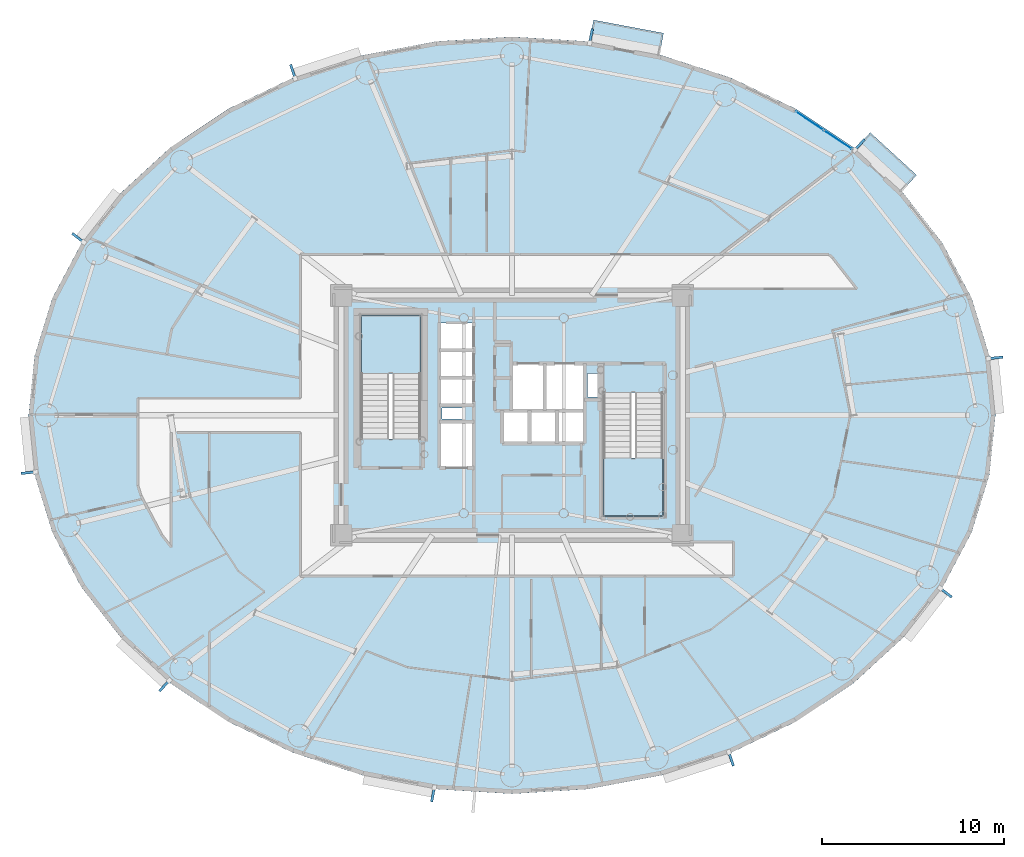
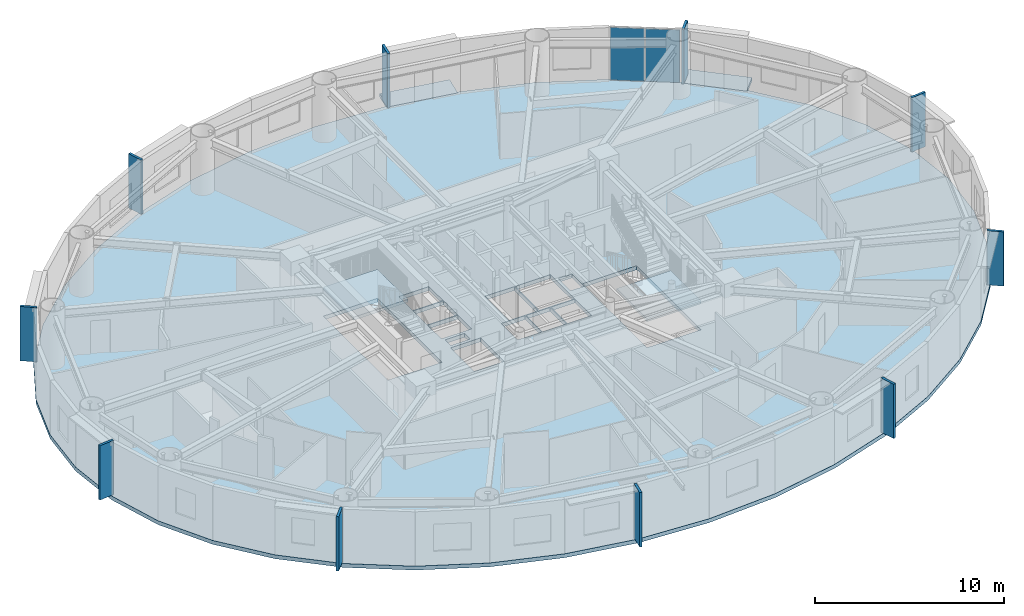
# One storey, part 6 of 21: 12 plates, 5 slabs, 3 elements without a shape of their own.
"""IFC4 building model written with IfcOpenShell, lengths in metres."""

from ifc_helpers import new_model, si_unit, direction, frame, origin, origin_2d, place, context, subcontext, project, spatial, polyline, rectangle, outline, extrude, source, transform, mapped, material, layer, layer_set, type_object, element, aggregate, save


model = new_model("IFC4")

# Units and contexts
model_context = context("Model", 3, precision=1e-05, world=origin(), true_north=direction((0.0, 1.0)))
body_context = subcontext(model_context, "Body", "Model", "MODEL_VIEW")
ifc_project = project(units=[si_unit("LENGTHUNIT", "METRE"), si_unit("AREAUNIT", "SQUARE_METRE"), si_unit("VOLUMEUNIT", "CUBIC_METRE"), si_unit("PLANEANGLEUNIT", "RADIAN"), si_unit("MASSUNIT", "GRAM", prefix="KILO")], contexts=[model_context])

# Site, building, storey
site_placement = place(None, origin())
site = spatial("IfcSite", under=ifc_project, at=site_placement, CompositionType="ELEMENT")
building_placement = place(site_placement, origin())
building = spatial("IfcBuilding", under=site, at=building_placement, Name="Linh Dai School and Residence Tower", CompositionType="ELEMENT")
storey_placement = place(building_placement, frame((0.0, 0.0, 189.89990234375)))
storey = spatial("IfcBuildingStorey", under=building, at=storey_placement, Name="L46", CompositionType="ELEMENT", Elevation=189.89990234375)

# Slabs
ifc_material_1 = material(Name="Concrete B45 (C35/45)", Category="concrete")
ifc_layer_1 = layer(ifc_material_1, 0.219970703125)
ifc_layer_set_1 = layer_set([ifc_layer_1], Name="Concrete B45 (C35/45)")
slab_type_1 = type_object("IfcSlabType", Name="SLB-BALC-220", PredefinedType="FLOOR", material=ifc_layer_set_1)
slab_1_placement = place(storey_placement, frame((0.0, 0.0, -0.219970703125)))
element("IfcSlab", 1, at=slab_1_placement, inside=storey, type_object=slab_type_1, Name="L46 Sliding Balcony Slab 05", PredefinedType="FLOOR", context=body_context, shape_type="SweptSolid", body=[
    extrude(outline(polyline([(54.836181640625, 41.59619140625), (57.385009765625, 39.25927734375), (58.263427734375, 40.217529296875), (55.714599609375, 42.554443359375), (54.836181640625, 41.59619140625)])), origin(), (0.0, 0.0, 1.0), 0.219970703125),
])
slab_2_placement = place(storey_placement, frame((0.0, 0.0, -0.219970703125)))
element("IfcSlab", 2, at=slab_2_placement, inside=storey, type_object=slab_type_1, Name="L46 Sliding Balcony Slab 09", PredefinedType="FLOOR", context=body_context, shape_type="SweptSolid", body=[
    extrude(outline(polyline([(40.25244140625, 47.475341796875), (44.09912109375, 46.751953125), (44.33935546875, 48.02978515625), (40.492431640625, 48.7529296875), (40.25244140625, 47.475341796875)])), origin(), (0.0, 0.0, 1.0), 0.219970703125),
])
ifc_layer_2 = layer(ifc_material_1, 0.25)
ifc_layer_set_2 = layer_set([ifc_layer_2], Name="Concrete B45 (C35/45)")
slab_type_2 = type_object("IfcSlabType", Name="SLB-FLR250", PredefinedType="FLOOR", material=ifc_layer_set_2)
slab_3_placement = place(storey_placement, frame((0.0, 0.0, -0.25)))
element("IfcSlab", 3, at=slab_3_placement, inside=storey, type_object=slab_type_2, Name="L46 Composite Structural Floor Slab", PredefinedType="FLOOR", context=body_context, shape_type="SweptSolid", body=[
    extrude(outline(polyline([(62.60009765625, 27.0), (62.2724609375, 30.258544921875), (61.298095703125, 33.436767578125), (59.70068359375, 36.45654296875), (57.519775390625, 39.24365234375), (54.80908203125, 41.72900390625), (51.635009765625, 43.851806640625), (48.076171875, 45.5595703125), (44.219970703125, 46.810546875), (40.1611328125, 47.573486328125), (36.0, 47.830078125), (31.8388671875, 47.573486328125), (27.780029296875, 46.810546875), (23.923828125, 45.5595703125), (20.364990234375, 43.851806640625), (17.19091796875, 41.72900390625), (14.480224609375, 39.24365234375), (12.29931640625, 36.45654296875), (10.701904296875, 33.436767578125), (9.7275390625, 30.258544921875), (9.39990234375, 27.0), (9.7275390625, 23.741455078125), (10.701904296875, 20.563232421875), (12.29931640625, 17.54345703125), (14.480224609375, 14.75634765625), (17.19091796875, 12.27099609375), (20.364990234375, 10.148193359375), (23.923828125, 8.4404296875), (27.780029296875, 7.189453125), (31.8388671875, 6.426513671875), (36.0, 6.169921875), (40.1611328125, 6.426513671875), (44.219970703125, 7.189453125), (48.076171875, 8.4404296875), (51.635009765625, 10.148193359375), (54.80908203125, 12.27099609375), (57.519775390625, 14.75634765625), (59.70068359375, 17.54345703125), (61.298095703125, 20.563232421875), (62.2724609375, 23.741455078125), (62.60009765625, 27.0)]), holes=[polyline([(30.97998046875, 25.699951171875), (30.97998046875, 32.5), (27.679931640625, 32.5), (27.679931640625, 25.699951171875), (30.97998046875, 25.699951171875)]), polyline([(41.02001953125, 28.25), (41.02001953125, 21.449951171875), (44.320068359375, 21.449951171875), (44.320068359375, 28.25), (41.02001953125, 28.25)]), polyline([(35.97998046875, 27.280029296875), (37.77001953125, 27.280029296875), (37.77001953125, 29.820068359375), (35.97998046875, 29.820068359375), (35.97998046875, 27.280029296875)]), polyline([(32.030029296875, 24.1298828125), (33.8701171875, 24.1298828125), (33.8701171875, 26.6201171875), (32.030029296875, 26.6201171875), (32.030029296875, 24.1298828125)]), polyline([(37.830078125, 27.280029296875), (39.969970703125, 27.280029296875), (39.969970703125, 29.820068359375), (37.830078125, 29.820068359375), (37.830078125, 27.280029296875)]), polyline([(32.030029296875, 27.580078125), (33.8701171875, 27.580078125), (33.8701171875, 29.030029296875), (32.030029296875, 29.030029296875), (32.030029296875, 27.580078125)]), polyline([(32.030029296875, 29.090087890625), (33.8701171875, 29.090087890625), (33.8701171875, 30.550048828125), (32.030029296875, 30.550048828125), (32.030029296875, 29.090087890625)]), polyline([(32.030029296875, 30.610107421875), (33.8701171875, 30.610107421875), (33.8701171875, 32.070068359375), (32.030029296875, 32.070068359375), (32.030029296875, 30.610107421875)]), polyline([(35.47998046875, 25.47998046875), (36.929931640625, 25.47998046875), (36.929931640625, 27.219970703125), (35.47998046875, 27.219970703125), (35.47998046875, 25.47998046875)]), polyline([(36.989990234375, 25.47998046875), (38.449951171875, 25.47998046875), (38.449951171875, 27.219970703125), (36.989990234375, 27.219970703125), (36.989990234375, 25.47998046875)]), polyline([(38.510009765625, 25.47998046875), (39.969970703125, 25.47998046875), (39.969970703125, 27.219970703125), (38.510009765625, 27.219970703125), (38.510009765625, 25.47998046875)]), polyline([(40.14990234375, 28.0), (40.14990234375, 29.300048828125), (41.0, 29.300048828125), (41.0, 28.280029296875), (40.989990234375, 28.280029296875), (40.989990234375, 28.0), (40.14990234375, 28.0)]), polyline([(32.14990234375, 26.800048828125), (33.35009765625, 26.800048828125), (33.35009765625, 27.39990234375), (32.14990234375, 27.39990234375), (32.14990234375, 26.800048828125)])]), origin(), (0.0, 0.0, 1.0), 0.25),
])

# Stair, slab
stair_type = type_object("IfcStairType", Name="ST-DOG-1550-R1442", PredefinedType="HALF_TURN_STAIR", material=ifc_material_1)
stair_1_placement = place(storey_placement, origin())
stair_1 = element("IfcStair", 4, at=stair_1_placement, inside=storey, type_object=stair_type, Name="L46 Core Smokeproof Exit Stair ST1", PredefinedType="HALF_TURN_STAIR")
ifc_layer_3 = layer(ifc_material_1, 0.199951171875)
ifc_layer_set_3 = layer_set([ifc_layer_3], Name="Concrete B45 (C35/45)")
slab_type_3 = type_object("IfcSlabType", Name="SLB-ST-LANDING-200", PredefinedType="LANDING", material=ifc_layer_set_3)
slab_4_placement = place(storey_placement, frame((0.0, 0.0, 1.675048828125)))
slab_4 = element("IfcSlab", 5, at=slab_4_placement, type_object=slab_type_3, Name="ST1 landing 1", PredefinedType="LANDING", context=body_context, shape_type="SweptSolid", body=[
    extrude(outline(polyline([(30.97998046875, 29.300048828125), (30.97998046875, 32.5), (27.679931640625, 32.5), (27.679931640625, 29.300048828125), (30.97998046875, 29.300048828125)])), origin(), (0.0, 0.0, 1.0), 0.199951171875),
])
aggregate(stair_1, [slab_4])

stair_2_placement = place(storey_placement, origin())
stair_2 = element("IfcStair", 6, at=stair_2_placement, inside=storey, type_object=stair_type, Name="L46 Core Smokeproof Exit Stair ST2", PredefinedType="HALF_TURN_STAIR")
slab_5_placement = place(storey_placement, frame((0.0, 0.0, 1.675048828125)))
slab_5 = element("IfcSlab", 7, at=slab_5_placement, type_object=slab_type_3, Name="ST2 landing 1", PredefinedType="LANDING", context=body_context, shape_type="SweptSolid", body=[
    extrude(outline(polyline([(41.02001953125, 24.64990234375), (41.02001953125, 21.449951171875), (44.320068359375, 21.449951171875), (44.320068359375, 24.64990234375), (41.02001953125, 24.64990234375)])), origin(), (0.0, 0.0, 1.0), 0.199951171875),
])
aggregate(stair_2, [slab_5])

# Plates
ifc_material_2 = material(Name="Precast Concrete B45 (C35/45)", Category="concrete")
ifc_layer_4 = layer(ifc_material_2, 0.139892578125)
ifc_layer_set_4 = layer_set([ifc_layer_4], Name="Precast Concrete B45 (C35/45)")
plate_type_1 = type_object("IfcPlateType", Name="FIN-TC-900x140", PredefinedType="USERDEFINED", material=ifc_layer_set_4)
shared_shape_1 = source(origin(), body_context, "Body", "SweptSolid", [
    extrude(rectangle(XDim=0.89990234375, YDim=0.139892578125, at=origin_2d()), origin(), (0.0, 0.0, 1.0), 3.5),
])
for number, where, z_axis, x_axis, name in (
    (8, (62.56982421875, 30.1552734375, 0.0), (0.0, 0.0, 1.0), (0.994987256586, 0.100001796141, 0.0), "L46 Precast Terracotta Radial Fin 01"),
    (9, (55.097412109375, 41.851806640625, 0.0), (0.0, 0.0, 1.0), (0.67580001435, 0.737085029426, 0.0), "L46 Precast Terracotta Radial Fin 05"),
    (10, (40.33935546875, 47.830322265625, 0.0), (0.0, 0.0, 1.0), (0.184762540184, 0.982783192645, 0.0), "L46 Precast Terracotta Radial Fin 09"),
    (11, (23.957763671875, 45.87060546875, 0.0), (0.0, 0.0, 1.0), (-0.308535707031, 0.951212761419, 0.0), "L46 Precast Terracotta Radial Fin 13"),
    (12, (12.155029296875, 36.735595703125, 0.0), (0.0, 0.0, 1.0), (-0.787522158319, 0.616286337798, 0.0), "L46 Precast Terracotta Radial Fin 17"),
    (13, (9.43017578125, 23.8447265625, 0.0), (0.0, 0.0, 1.0), (-0.994987256586, -0.100001796141, 0.0), "L46 Precast Terracotta Radial Fin 21"),
    (14, (16.902587890625, 12.148193359375, 0.0), (0.0, 0.0, 1.0), (-0.67580001435, -0.737085029426, 0.0), "L46 Precast Terracotta Radial Fin 25"),
    (15, (31.66064453125, 6.169677734375, 0.0), (0.0, 0.0, 1.0), (-0.184762540184, -0.982783192645, 0.0), "L46 Precast Terracotta Radial Fin 29"),
    (16, (48.042236328125, 8.12939453125, 0.0), (0.0, 0.0, 1.0), (0.308535707031, -0.951212761419, 0.0), "L46 Precast Terracotta Radial Fin 33"),
    (17, (59.844970703125, 17.264404296875, 0.0), (0.0, 0.0, 1.0), (0.787522158319, -0.616286337798, 0.0), "L46 Precast Terracotta Radial Fin 37"),
):
    element("IfcPlate", number, at=place(storey_placement, frame(where, z_axis=z_axis, x_axis=x_axis)), inside=storey, type_object=plate_type_1, Name=name, ObjectType="RADIAL FIN", PredefinedType="USERDEFINED", context=body_context, shape_type="MappedRepresentation", body=[
        mapped(shared_shape_1, transform((0.0, 0.0, 0.0), x_axis=(1.0, 0.0, 0.0), y_axis=(0.0, 1.0, 0.0), z_axis=(0.0, 0.0, 1.0), scale=1.0)),
    ])

# Curtain wall, plates
ifc_material_3 = material(Name="Aluminium Anodised Curtain Wall", Category="aluminium")
ifc_layer_5 = layer(ifc_material_3, 0.14990234375)
ifc_layer_set_5 = layer_set([ifc_layer_5], Name="Aluminium Anodised Curtain Wall")
curtain_wall_type = type_object("IfcCurtainWallType", Name="CW-SYS-4", PredefinedType="USERDEFINED", material=ifc_layer_set_5)
curtain_wall_placement = place(storey_placement, origin())
curtain_wall = element("IfcCurtainWall", 18, at=curtain_wall_placement, inside=storey, type_object=curtain_wall_type, Name="L46 CW4 Curtain Wall 06", ObjectType="RIBBON CURTAIN WALL", PredefinedType="USERDEFINED")
ifc_material_4 = material(Name="Double Low-E Insulated Glazing", Category="glass")
ifc_layer_6 = layer(ifc_material_4, 0.02587890625)
ifc_layer_set_6 = layer_set([ifc_layer_6], Name="Double Low-E Insulated Glazing")
plate_type_2 = type_object("IfcPlateType", Name="CW-SYS-4-PAN", PredefinedType="CURTAIN_PANEL", material=ifc_layer_set_6)
shared_shape_2 = source(origin(), body_context, "Body", "SweptSolid", [
    extrude(rectangle(XDim=1.822021484375, YDim=0.02587890625, at=origin_2d()), origin(), (0.0, 0.0, 1.0), 3.39599609375),
])
plate_1_placement = place(storey_placement, frame((52.373779296875, 43.207763671875, 0.052001953125), z_axis=(0.0, 0.0, 1.0), x_axis=(0.831228338651, -0.555931154932, 0.0)))
plate_1 = element("IfcPlate", 19, at=plate_1_placement, type_object=plate_type_2, Name="CW4 panel 1.1", PredefinedType="CURTAIN_PANEL", context=body_context, shape_type="MappedRepresentation", body=[
    mapped(shared_shape_2, transform((0.0, 0.0, 0.0), x_axis=(1.0, 0.0, 0.0), y_axis=(0.0, 1.0, 0.0), z_axis=(0.0, 0.0, 1.0), scale=1.0)),
])
plate_2_placement = place(storey_placement, frame((53.931396484375, 42.166015625, 0.052001953125), z_axis=(0.0, 0.0, 1.0), x_axis=(0.831228338651, -0.555931154932, 0.0)))
plate_2 = element("IfcPlate", 20, at=plate_2_placement, type_object=plate_type_2, Name="CW4 panel 2.1", PredefinedType="CURTAIN_PANEL", context=body_context, shape_type="MappedRepresentation", body=[
    mapped(shared_shape_2, transform((0.0, 0.0, 0.0), x_axis=(1.0, 0.0, 0.0), y_axis=(0.0, 1.0, 0.0), z_axis=(0.0, 0.0, 1.0), scale=1.0)),
])
aggregate(curtain_wall, [plate_1, plate_2])

save(model, "model.ifc")
